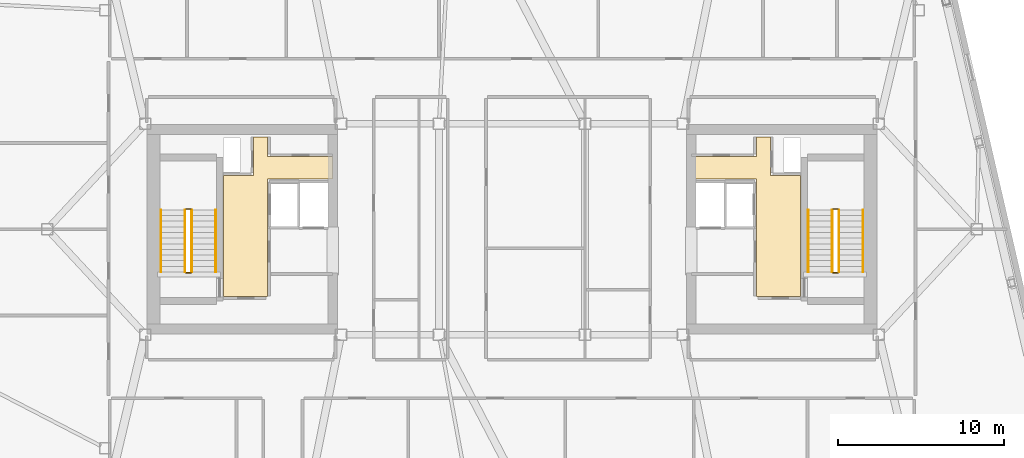
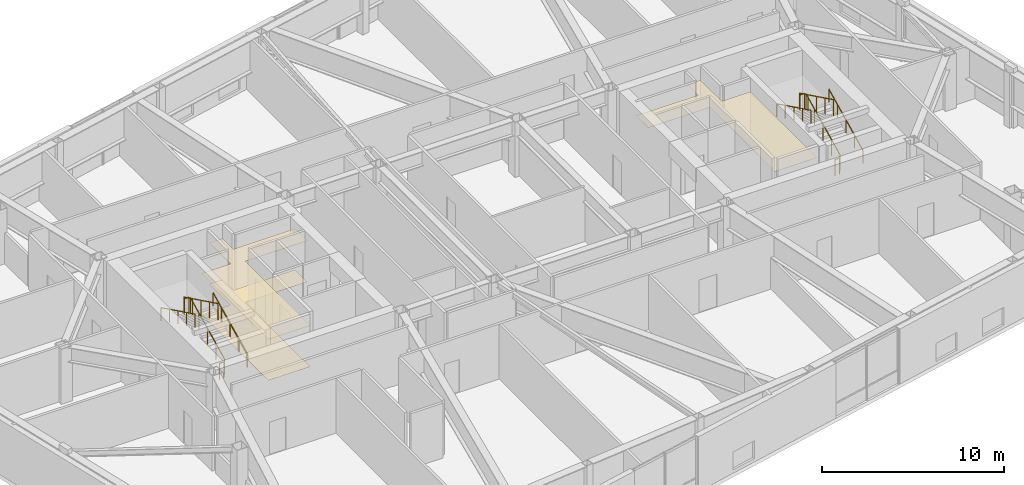
# One storey, part 23 of 23: 12 railings, 3 coverings.
"""IFC4 building model written with IfcOpenShell, lengths in metres."""

from ifc_helpers import new_model, si_unit, direction, frame, origin, origin_2d, place, context, subcontext, project, spatial, polyline, rectangle, outline, extrude, material, layer, layer_set, type_object, element, save


model = new_model("IFC4")

# Units and contexts
model_context = context("Model", 3, precision=1e-05, world=origin(), true_north=direction((0.0, 1.0)))
body_context = subcontext(model_context, "Body", "Model", "MODEL_VIEW")
ifc_project = project(units=[si_unit("LENGTHUNIT", "METRE"), si_unit("AREAUNIT", "SQUARE_METRE"), si_unit("VOLUMEUNIT", "CUBIC_METRE"), si_unit("PLANEANGLEUNIT", "RADIAN"), si_unit("MASSUNIT", "GRAM", prefix="KILO")], contexts=[model_context])

# Site, building, storey
site_placement = place(None, origin())
site = spatial("IfcSite", under=ifc_project, at=site_placement, CompositionType="ELEMENT")
building_placement = place(site_placement, origin())
building = spatial("IfcBuilding", under=site, at=building_placement, Name="Tavrogorsk Clinical Tower", CompositionType="ELEMENT")
storey_placement = place(building_placement, frame((0.0, 0.0, 329.0)))
storey = spatial("IfcBuildingStorey", under=building, at=storey_placement, Name="L77", CompositionType="ELEMENT", Elevation=329.0)

# Coverings
ifc_material_1 = material(Name="Antibacterial micro-perforated aluminium ceiling", Category="aluminium")
ifc_layer_1 = layer(ifc_material_1, 0.014892578125)
ifc_layer_set_1 = layer_set([ifc_layer_1], Name="Antibacterial micro-perforated aluminium ceiling")
covering_type_1 = type_object("IfcCoveringType", Name="ClinicalCeiling_15", PredefinedType="CEILING", material=ifc_layer_set_1)
covering_1_placement = place(storey_placement, frame((0.0, 0.0, 2.75)))
element("IfcCovering", 1, at=covering_1_placement, inside=storey, type_object=covering_type_1, Name="Core West Firefighting Lift Lobby Acoustic Ceiling", PredefinedType="CEILING", context=body_context, shape_type="SweptSolid", body=[
    extrude(outline(polyline([(-14.719970703125, 4.3798828125), (-10.800048828125, 4.3798828125), (-10.800048828125, 3.0400390625), (-14.719970703125, 3.0400390625), (-14.719970703125, -4.06005859375), (-17.3798828125, -4.06005859375), (-17.3798828125, 3.239990234375), (-15.56005859375, 3.239990234375), (-15.56005859375, 5.56005859375), (-14.719970703125, 5.56005859375), (-14.719970703125, 4.3798828125)])), origin(), (0.0, 0.0, 1.0), 0.014892578125),
])
covering_2_placement = place(storey_placement, frame((0.0, 0.0, 2.75)))
element("IfcCovering", 2, at=covering_2_placement, inside=storey, type_object=covering_type_1, Name="Core East Firefighting Lift Lobby Acoustic Ceiling", PredefinedType="CEILING", context=body_context, shape_type="SweptSolid", body=[
    extrude(outline(polyline([(14.719970703125, -4.06005859375), (14.719970703125, 3.0400390625), (10.800048828125, 3.0400390625), (10.800048828125, 4.3798828125), (14.719970703125, 4.3798828125), (14.719970703125, 5.56005859375), (15.56005859375, 5.56005859375), (15.56005859375, 3.239990234375), (17.3798828125, 3.239990234375), (17.3798828125, -4.06005859375), (14.719970703125, -4.06005859375)])), origin(), (0.0, 0.0, 1.0), 0.014892578125),
])
ifc_material_2 = material(Name="Homogeneous medical conductive PVC flooring")
ifc_layer_2 = layer(ifc_material_2, 0.008056640625)
ifc_layer_set_2 = layer_set([ifc_layer_2], Name="Homogeneous medical conductive PVC flooring")
covering_type_2 = type_object("IfcCoveringType", Name="ResilientVinylFloor_8", PredefinedType="FLOORING", material=ifc_layer_set_2)
covering_3_placement = place(storey_placement, origin())
element("IfcCovering", 3, at=covering_3_placement, inside=storey, type_object=covering_type_2, Name="Core West Firefighting Lift Lobby Conductive Vinyl Flooring", PredefinedType="FLOORING", context=body_context, shape_type="SweptSolid", body=[
    extrude(outline(polyline([(-14.719970703125, 4.3798828125), (-10.800048828125, 4.3798828125), (-10.800048828125, 3.0400390625), (-14.719970703125, 3.0400390625), (-14.719970703125, -4.06005859375), (-17.3798828125, -4.06005859375), (-17.3798828125, 3.239990234375), (-15.56005859375, 3.239990234375), (-15.56005859375, 5.56005859375), (-14.719970703125, 5.56005859375), (-14.719970703125, 4.3798828125)])), origin(), (0.0, 0.0, 1.0), 0.008056640625),
])

# Railings
ifc_material_3 = material(Name="Galvanised steel S355 safety stairwell guard", Category="steel")
ifc_layer_3 = layer(ifc_material_3, 0.06005859375)
ifc_layer_set_3 = layer_set([ifc_layer_3], Name="Galvanised steel S355 safety stairwell guard")
railing_type_1 = type_object("IfcRailingType", Name="StairGuard_1150", PredefinedType="GUARDRAIL", material=ifc_layer_set_3)
railing_1_placement = place(storey_placement, frame((-19.300048828125, -2.574951171875, 0.166748046875)))
element("IfcRailing", 4, at=railing_1_placement, inside=storey, type_object=railing_type_1, Name="L77 ST-W stair guard 1", PredefinedType="GUARDRAIL", context=body_context, shape_type="SweptSolid", body=[
    extrude(rectangle(XDim=0.048095703125, YDim=0.048095703125, at=origin_2d()), frame((0.0, 0.0, 1.076171875), z_axis=(0.0, 0.897927990467, 0.440142390523), x_axis=(-1.0, 0.0, 0.0)), (0.0, 0.0, 1.0), 4.1650390625),
    extrude(rectangle(XDim=0.0419921875, YDim=0.0419921875, at=origin_2d()), origin(), (0.0, 0.0, 1.0), 1.052001953125),
    extrude(rectangle(XDim=0.0419921875, YDim=0.0419921875, at=origin_2d()), frame((0.0, 0.93505859375, 0.458251953125)), (0.0, 0.0, 1.0), 1.052001953125),
    extrude(rectangle(XDim=0.0419921875, YDim=0.0419921875, at=origin_2d()), frame((0.0, 1.8701171875, 0.91650390625)), (0.0, 0.0, 1.0), 1.052001953125),
    extrude(rectangle(XDim=0.0419921875, YDim=0.0419921875, at=origin_2d()), frame((0.0, 2.804931640625, 1.375)), (0.0, 0.0, 1.0), 1.052001953125),
    extrude(rectangle(XDim=0.0419921875, YDim=0.0419921875, at=origin_2d()), frame((0.0, 3.739990234375, 1.833251953125)), (0.0, 0.0, 1.0), 1.052001953125),
])
railing_2_placement = place(storey_placement, frame((-19.35009765625, 1.215087890625, 2.0)))
element("IfcRailing", 5, at=railing_2_placement, inside=storey, type_object=railing_type_1, Name="L77 ST-W stair guard 2", PredefinedType="GUARDRAIL", context=body_context, shape_type="SweptSolid", body=[
    extrude(rectangle(XDim=0.048095703125, YDim=0.048095703125, at=origin_2d()), frame((0.0, 0.0, 1.076171875), z_axis=(-1.0, 0.0, 0.0), x_axis=(0.0, -1.0, 0.0)), (0.0, 0.0, 1.0), 0.2998046875),
    extrude(rectangle(XDim=0.0419921875, YDim=0.0419921875, at=origin_2d()), origin(), (0.0, 0.0, 1.0), 1.052001953125),
    extrude(rectangle(XDim=0.0419921875, YDim=0.0419921875, at=origin_2d()), frame((-0.2998046875, 0.0, 0.0)), (0.0, 0.0, 1.0), 1.052001953125),
])
railing_3_placement = place(storey_placement, frame((-19.699951171875, 1.1650390625, 2.166748046875)))
element("IfcRailing", 6, at=railing_3_placement, inside=storey, type_object=railing_type_1, Name="L77 ST-W stair guard 3", PredefinedType="GUARDRAIL", context=body_context, shape_type="SweptSolid", body=[
    extrude(rectangle(XDim=0.048095703125, YDim=0.048095703125, at=origin_2d()), frame((0.0, 0.0, 1.076171875), z_axis=(0.0, -0.897927990467, 0.440142390523), x_axis=(1.0, 0.0, 0.0)), (0.0, 0.0, 1.0), 4.1650390625),
    extrude(rectangle(XDim=0.0419921875, YDim=0.0419921875, at=origin_2d()), origin(), (0.0, 0.0, 1.0), 1.052001953125),
    extrude(rectangle(XDim=0.0419921875, YDim=0.0419921875, at=origin_2d()), frame((0.0, -0.93505859375, 0.458251953125)), (0.0, 0.0, 1.0), 1.052001953125),
    extrude(rectangle(XDim=0.0419921875, YDim=0.0419921875, at=origin_2d()), frame((0.0, -1.8701171875, 0.91650390625)), (0.0, 0.0, 1.0), 1.052001953125),
    extrude(rectangle(XDim=0.0419921875, YDim=0.0419921875, at=origin_2d()), frame((0.0, -2.804931640625, 1.375)), (0.0, 0.0, 1.0), 1.052001953125),
    extrude(rectangle(XDim=0.0419921875, YDim=0.0419921875, at=origin_2d()), frame((0.0, -3.739990234375, 1.833251953125)), (0.0, 0.0, 1.0), 1.052001953125),
])
railing_4_placement = place(storey_placement, frame((-19.35009765625, -2.625, 0.0)))
element("IfcRailing", 7, at=railing_4_placement, inside=storey, type_object=railing_type_1, Name="L77 ST-W stair guard 4", PredefinedType="GUARDRAIL", context=body_context, shape_type="SweptSolid", body=[
    extrude(rectangle(XDim=0.048095703125, YDim=0.048095703125, at=origin_2d()), frame((0.0, 0.0, 1.076171875), z_axis=(-1.0, 0.0, 0.0), x_axis=(0.0, -1.0, 0.0)), (0.0, 0.0, 1.0), 0.2998046875),
    extrude(rectangle(XDim=0.0419921875, YDim=0.0419921875, at=origin_2d()), origin(), (0.0, 0.0, 1.0), 1.052001953125),
    extrude(rectangle(XDim=0.0419921875, YDim=0.0419921875, at=origin_2d()), frame((-0.2998046875, 0.0, 0.0)), (0.0, 0.0, 1.0), 1.052001953125),
])
railing_5_placement = place(storey_placement, frame((19.699951171875, -2.574951171875, 0.166748046875)))
element("IfcRailing", 8, at=railing_5_placement, inside=storey, type_object=railing_type_1, Name="L77 ST-E stair guard 1", PredefinedType="GUARDRAIL", context=body_context, shape_type="SweptSolid", body=[
    extrude(rectangle(XDim=0.048095703125, YDim=0.048095703125, at=origin_2d()), frame((0.0, 0.0, 1.076171875), z_axis=(0.0, 0.897927990467, 0.440142390523), x_axis=(-1.0, 0.0, 0.0)), (0.0, 0.0, 1.0), 4.1650390625),
    extrude(rectangle(XDim=0.0419921875, YDim=0.0419921875, at=origin_2d()), origin(), (0.0, 0.0, 1.0), 1.052001953125),
    extrude(rectangle(XDim=0.0419921875, YDim=0.0419921875, at=origin_2d()), frame((0.0, 0.93505859375, 0.458251953125)), (0.0, 0.0, 1.0), 1.052001953125),
    extrude(rectangle(XDim=0.0419921875, YDim=0.0419921875, at=origin_2d()), frame((0.0, 1.8701171875, 0.91650390625)), (0.0, 0.0, 1.0), 1.052001953125),
    extrude(rectangle(XDim=0.0419921875, YDim=0.0419921875, at=origin_2d()), frame((0.0, 2.804931640625, 1.375)), (0.0, 0.0, 1.0), 1.052001953125),
    extrude(rectangle(XDim=0.0419921875, YDim=0.0419921875, at=origin_2d()), frame((0.0, 3.739990234375, 1.833251953125)), (0.0, 0.0, 1.0), 1.052001953125),
])
railing_6_placement = place(storey_placement, frame((19.64990234375, 1.215087890625, 2.0)))
element("IfcRailing", 9, at=railing_6_placement, inside=storey, type_object=railing_type_1, Name="L77 ST-E stair guard 2", PredefinedType="GUARDRAIL", context=body_context, shape_type="SweptSolid", body=[
    extrude(rectangle(XDim=0.048095703125, YDim=0.048095703125, at=origin_2d()), frame((0.0, 0.0, 1.076171875), z_axis=(-1.0, 0.0, 0.0), x_axis=(0.0, -1.0, 0.0)), (0.0, 0.0, 1.0), 0.2998046875),
    extrude(rectangle(XDim=0.0419921875, YDim=0.0419921875, at=origin_2d()), origin(), (0.0, 0.0, 1.0), 1.052001953125),
    extrude(rectangle(XDim=0.0419921875, YDim=0.0419921875, at=origin_2d()), frame((-0.2998046875, 0.0, 0.0)), (0.0, 0.0, 1.0), 1.052001953125),
])
railing_7_placement = place(storey_placement, frame((19.300048828125, 1.1650390625, 2.166748046875)))
element("IfcRailing", 10, at=railing_7_placement, inside=storey, type_object=railing_type_1, Name="L77 ST-E stair guard 3", PredefinedType="GUARDRAIL", context=body_context, shape_type="SweptSolid", body=[
    extrude(rectangle(XDim=0.048095703125, YDim=0.048095703125, at=origin_2d()), frame((0.0, 0.0, 1.076171875), z_axis=(0.0, -0.897927990467, 0.440142390523), x_axis=(1.0, 0.0, 0.0)), (0.0, 0.0, 1.0), 4.1650390625),
    extrude(rectangle(XDim=0.0419921875, YDim=0.0419921875, at=origin_2d()), origin(), (0.0, 0.0, 1.0), 1.052001953125),
    extrude(rectangle(XDim=0.0419921875, YDim=0.0419921875, at=origin_2d()), frame((0.0, -0.93505859375, 0.458251953125)), (0.0, 0.0, 1.0), 1.052001953125),
    extrude(rectangle(XDim=0.0419921875, YDim=0.0419921875, at=origin_2d()), frame((0.0, -1.8701171875, 0.91650390625)), (0.0, 0.0, 1.0), 1.052001953125),
    extrude(rectangle(XDim=0.0419921875, YDim=0.0419921875, at=origin_2d()), frame((0.0, -2.804931640625, 1.375)), (0.0, 0.0, 1.0), 1.052001953125),
    extrude(rectangle(XDim=0.0419921875, YDim=0.0419921875, at=origin_2d()), frame((0.0, -3.739990234375, 1.833251953125)), (0.0, 0.0, 1.0), 1.052001953125),
])
railing_8_placement = place(storey_placement, frame((19.64990234375, -2.625, 0.0)))
element("IfcRailing", 11, at=railing_8_placement, inside=storey, type_object=railing_type_1, Name="L77 ST-E stair guard 4", PredefinedType="GUARDRAIL", context=body_context, shape_type="SweptSolid", body=[
    extrude(rectangle(XDim=0.048095703125, YDim=0.048095703125, at=origin_2d()), frame((0.0, 0.0, 1.076171875), z_axis=(-1.0, 0.0, 0.0), x_axis=(0.0, -1.0, 0.0)), (0.0, 0.0, 1.0), 0.2998046875),
    extrude(rectangle(XDim=0.0419921875, YDim=0.0419921875, at=origin_2d()), origin(), (0.0, 0.0, 1.0), 1.052001953125),
    extrude(rectangle(XDim=0.0419921875, YDim=0.0419921875, at=origin_2d()), frame((-0.2998046875, 0.0, 0.0)), (0.0, 0.0, 1.0), 1.052001953125),
])
ifc_material_4 = material(Name="Stainless steel AISI 304 tubular handrail", Category="steel")
ifc_layer_4 = layer(ifc_material_4, 0.050048828125)
ifc_layer_set_4 = layer_set([ifc_layer_4], Name="Stainless steel AISI 304 tubular handrail")
railing_type_2 = type_object("IfcRailingType", Name="StairHandrail_920", PredefinedType="HANDRAIL", material=ifc_layer_set_4)
railing_9_placement = place(storey_placement, frame((-17.85009765625, -2.574951171875, 0.166748046875)))
element("IfcRailing", 12, at=railing_9_placement, inside=storey, type_object=railing_type_2, Name="L77 ST-W stair handrail 1", PredefinedType="HANDRAIL", context=body_context, shape_type="SweptSolid", body=[
    extrude(rectangle(XDim=0.048095703125, YDim=0.048095703125, at=origin_2d()), frame((0.0, 0.0, 0.8759765625), z_axis=(0.0, 0.897927990467, 0.440142390523), x_axis=(-1.0, 0.0, 0.0)), (0.0, 0.0, 1.0), 4.1650390625),
    extrude(rectangle(XDim=0.0419921875, YDim=0.0419921875, at=origin_2d()), origin(), (0.0, 0.0, 1.0), 0.851806640625),
    extrude(rectangle(XDim=0.0419921875, YDim=0.0419921875, at=origin_2d()), frame((0.0, 0.93505859375, 0.458251953125)), (0.0, 0.0, 1.0), 0.851806640625),
    extrude(rectangle(XDim=0.0419921875, YDim=0.0419921875, at=origin_2d()), frame((0.0, 1.8701171875, 0.91650390625)), (0.0, 0.0, 1.0), 0.851806640625),
    extrude(rectangle(XDim=0.0419921875, YDim=0.0419921875, at=origin_2d()), frame((0.0, 2.804931640625, 1.375)), (0.0, 0.0, 1.0), 0.851806640625),
    extrude(rectangle(XDim=0.0419921875, YDim=0.0419921875, at=origin_2d()), frame((0.0, 3.739990234375, 1.833251953125)), (0.0, 0.0, 1.0), 0.851806640625),
])
railing_10_placement = place(storey_placement, frame((-21.14990234375, 1.1650390625, 2.166748046875)))
element("IfcRailing", 13, at=railing_10_placement, inside=storey, type_object=railing_type_2, Name="L77 ST-W stair handrail 2", PredefinedType="HANDRAIL", context=body_context, shape_type="SweptSolid", body=[
    extrude(rectangle(XDim=0.048095703125, YDim=0.048095703125, at=origin_2d()), frame((0.0, 0.0, 0.8759765625), z_axis=(0.0, -0.897927990467, 0.440142390523), x_axis=(1.0, 0.0, 0.0)), (0.0, 0.0, 1.0), 4.1650390625),
    extrude(rectangle(XDim=0.0419921875, YDim=0.0419921875, at=origin_2d()), origin(), (0.0, 0.0, 1.0), 0.851806640625),
    extrude(rectangle(XDim=0.0419921875, YDim=0.0419921875, at=origin_2d()), frame((0.0, -0.93505859375, 0.458251953125)), (0.0, 0.0, 1.0), 0.851806640625),
    extrude(rectangle(XDim=0.0419921875, YDim=0.0419921875, at=origin_2d()), frame((0.0, -1.8701171875, 0.91650390625)), (0.0, 0.0, 1.0), 0.851806640625),
    extrude(rectangle(XDim=0.0419921875, YDim=0.0419921875, at=origin_2d()), frame((0.0, -2.804931640625, 1.375)), (0.0, 0.0, 1.0), 0.851806640625),
    extrude(rectangle(XDim=0.0419921875, YDim=0.0419921875, at=origin_2d()), frame((0.0, -3.739990234375, 1.833251953125)), (0.0, 0.0, 1.0), 0.851806640625),
])
railing_11_placement = place(storey_placement, frame((21.14990234375, -2.574951171875, 0.166748046875)))
element("IfcRailing", 14, at=railing_11_placement, inside=storey, type_object=railing_type_2, Name="L77 ST-E stair handrail 1", PredefinedType="HANDRAIL", context=body_context, shape_type="SweptSolid", body=[
    extrude(rectangle(XDim=0.048095703125, YDim=0.048095703125, at=origin_2d()), frame((0.0, 0.0, 0.8759765625), z_axis=(0.0, 0.897927990467, 0.440142390523), x_axis=(-1.0, 0.0, 0.0)), (0.0, 0.0, 1.0), 4.1650390625),
    extrude(rectangle(XDim=0.0419921875, YDim=0.0419921875, at=origin_2d()), origin(), (0.0, 0.0, 1.0), 0.851806640625),
    extrude(rectangle(XDim=0.0419921875, YDim=0.0419921875, at=origin_2d()), frame((0.0, 0.93505859375, 0.458251953125)), (0.0, 0.0, 1.0), 0.851806640625),
    extrude(rectangle(XDim=0.0419921875, YDim=0.0419921875, at=origin_2d()), frame((0.0, 1.8701171875, 0.91650390625)), (0.0, 0.0, 1.0), 0.851806640625),
    extrude(rectangle(XDim=0.0419921875, YDim=0.0419921875, at=origin_2d()), frame((0.0, 2.804931640625, 1.375)), (0.0, 0.0, 1.0), 0.851806640625),
    extrude(rectangle(XDim=0.0419921875, YDim=0.0419921875, at=origin_2d()), frame((0.0, 3.739990234375, 1.833251953125)), (0.0, 0.0, 1.0), 0.851806640625),
])
railing_12_placement = place(storey_placement, frame((17.85009765625, 1.1650390625, 2.166748046875)))
element("IfcRailing", 15, at=railing_12_placement, inside=storey, type_object=railing_type_2, Name="L77 ST-E stair handrail 2", PredefinedType="HANDRAIL", context=body_context, shape_type="SweptSolid", body=[
    extrude(rectangle(XDim=0.048095703125, YDim=0.048095703125, at=origin_2d()), frame((0.0, 0.0, 0.8759765625), z_axis=(0.0, -0.897927990467, 0.440142390523), x_axis=(1.0, 0.0, 0.0)), (0.0, 0.0, 1.0), 4.1650390625),
    extrude(rectangle(XDim=0.0419921875, YDim=0.0419921875, at=origin_2d()), origin(), (0.0, 0.0, 1.0), 0.851806640625),
    extrude(rectangle(XDim=0.0419921875, YDim=0.0419921875, at=origin_2d()), frame((0.0, -0.93505859375, 0.458251953125)), (0.0, 0.0, 1.0), 0.851806640625),
    extrude(rectangle(XDim=0.0419921875, YDim=0.0419921875, at=origin_2d()), frame((0.0, -1.8701171875, 0.91650390625)), (0.0, 0.0, 1.0), 0.851806640625),
    extrude(rectangle(XDim=0.0419921875, YDim=0.0419921875, at=origin_2d()), frame((0.0, -2.804931640625, 1.375)), (0.0, 0.0, 1.0), 0.851806640625),
    extrude(rectangle(XDim=0.0419921875, YDim=0.0419921875, at=origin_2d()), frame((0.0, -3.739990234375, 1.833251953125)), (0.0, 0.0, 1.0), 0.851806640625),
])

save(model, "model.ifc")
